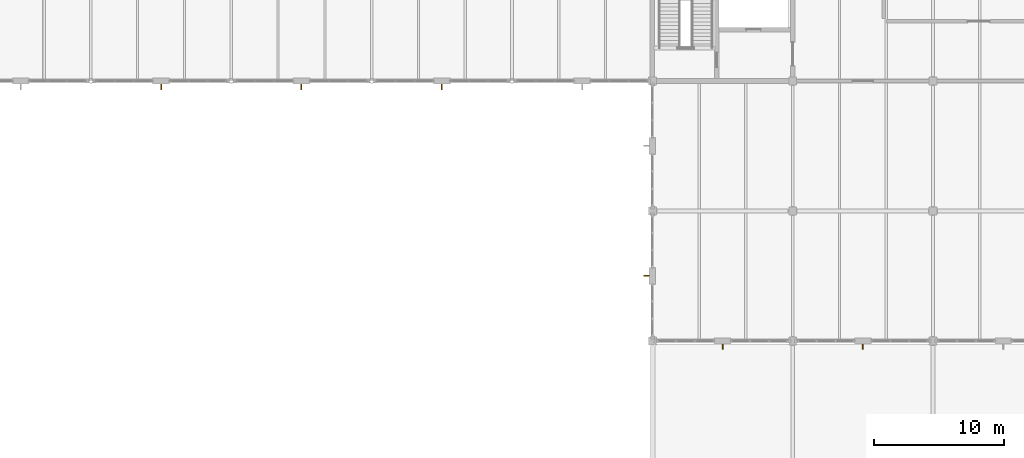
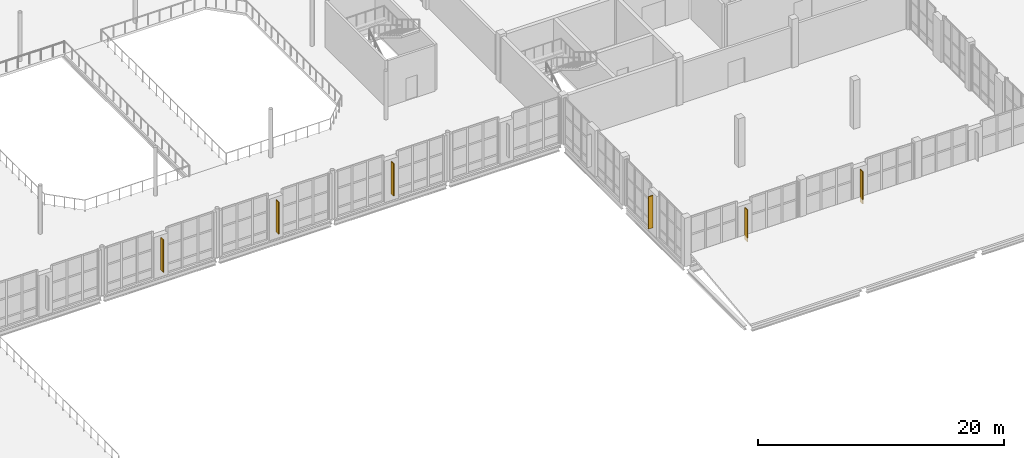
# One storey, part 93 of 100: 6 shading devices.
"""IFC4 building model written with IfcOpenShell, lengths in metres."""

from ifc_helpers import new_model, si_unit, direction, frame, origin, origin_2d, place, context, subcontext, project, spatial, rectangle, extrude, material, type_object, element, save


model = new_model("IFC4")

# Units and contexts
model_context = context("Model", 3, precision=1e-05, world=origin(), true_north=direction((0.0, 1.0)))
body_context = subcontext(model_context, "Body", "Model", "MODEL_VIEW")
ifc_project = project(units=[si_unit("LENGTHUNIT", "METRE"), si_unit("AREAUNIT", "SQUARE_METRE"), si_unit("VOLUMEUNIT", "CUBIC_METRE"), si_unit("PLANEANGLEUNIT", "RADIAN"), si_unit("MASSUNIT", "GRAM", prefix="KILO")], contexts=[model_context])

# Site, building, storey
site_placement = place(None, origin())
site = spatial("IfcSite", under=ifc_project, at=site_placement, CompositionType="ELEMENT")
building_placement = place(site_placement, origin())
building = spatial("IfcBuilding", under=site, at=building_placement, Name="Tasgan Crest Museum", CompositionType="ELEMENT")
storey_placement = place(building_placement, frame((0.0, 0.0, 9.60009765625)))
storey = spatial("IfcBuildingStorey", under=building, at=storey_placement, Name="L02", CompositionType="ELEMENT", Elevation=9.60009765625)

# Shading devices
ifc_material = material(Name="Anodised Bronze Aluminium", Category="aluminium")
shading_device_type = type_object("IfcShadingDeviceType", Name="SH-FIN-V400", PredefinedType="JALOUSIE", material=ifc_material)
for number, where, z_axis, x_axis, name in (
    (1, (107.550048828125, 25.0, 0.6796875), (0.0, 0.0, 1.0), (0.0, -1.0, 0.0), "Facade pier solar fin L02"),
    (2, (113.39990234375, 19.550048828125, 0.6796875), (0.0, 0.0, 1.0), (1.0, 0.0, 0.0), "Facade pier solar fin L02"),
    (3, (124.199951171875, 19.550048828125, 0.6796875), (0.0, 0.0, 1.0), (1.0, 0.0, 0.0), "Facade pier solar fin L02"),
    (4, (70.199951171875, 39.550048828125, 0.6796875), (0.0, 0.0, 1.0), (1.0, 0.0, 0.0), "Facade pier solar fin L02"),
    (5, (81.0, 39.550048828125, 0.6796875), (0.0, 0.0, 1.0), (1.0, 0.0, 0.0), "Facade pier solar fin L02"),
    (6, (91.800048828125, 39.550048828125, 0.6796875), (0.0, 0.0, 1.0), (1.0, 0.0, 0.0), "Facade pier solar fin L02"),
):
    element("IfcShadingDevice", number, at=place(storey_placement, frame(where, z_axis=z_axis, x_axis=x_axis)), inside=storey, type_object=shading_device_type, Name=name, PredefinedType="JALOUSIE", context=body_context, shape_type="SweptSolid", body=[
        extrude(rectangle(XDim=0.080078125, YDim=0.419921875, at=origin_2d()), origin(), (0.0, 0.0, 1.0), 3.199951171875),
    ])

save(model, "model.ifc")
